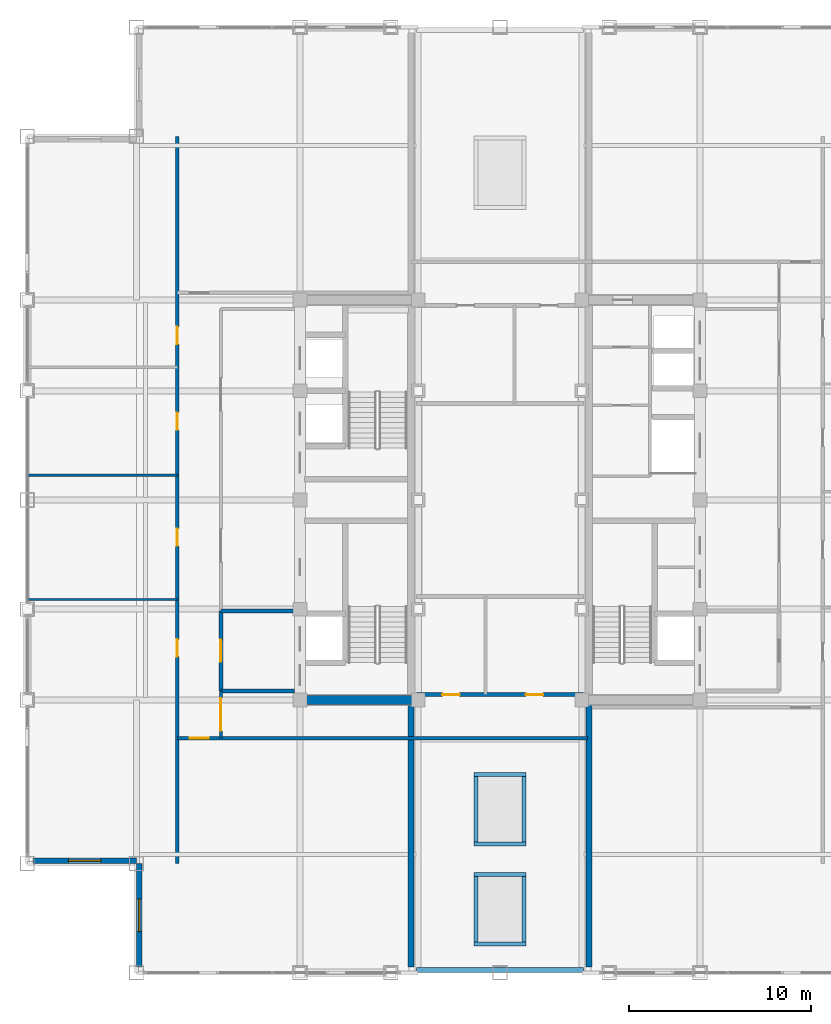
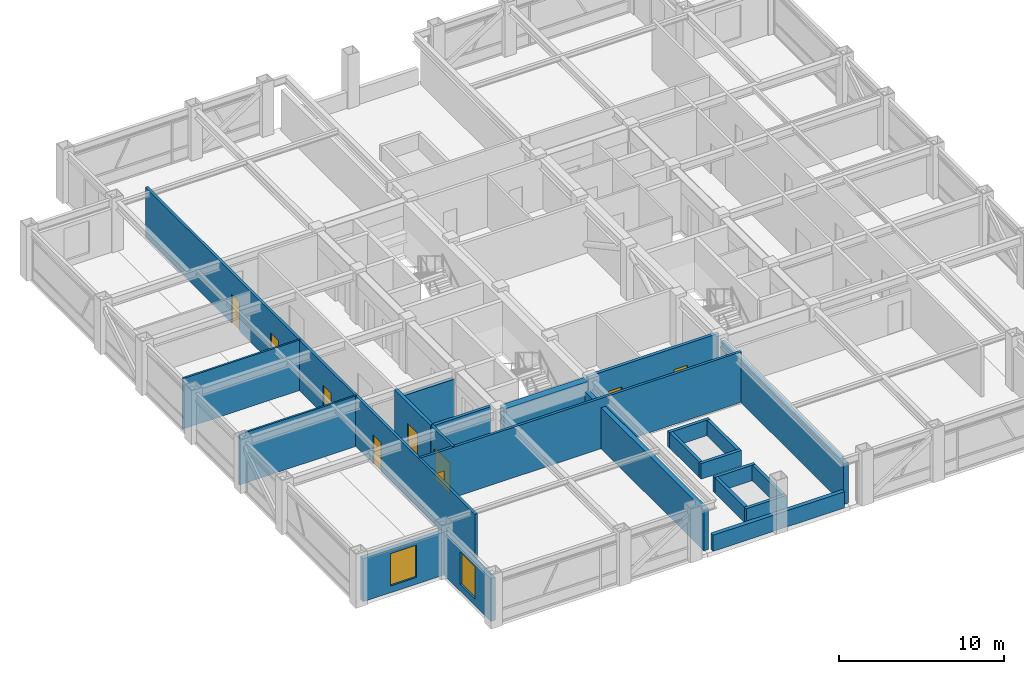
# One storey, part 25 of 29: 23 walls, 9 doors, 2 windows, 11 openings.
"""IFC4 building model written with IfcOpenShell, lengths in metres."""

from ifc_helpers import new_model, si_unit, direction, frame, frame_2d, origin, place, context, subcontext, project, spatial, rectangle, extrude, source, transform, mapped, material, layer, layer_set, type_object, element, fill, save


model = new_model("IFC4")

# Units and contexts
model_context = context("Model", 3, precision=1e-05, world=origin(), true_north=direction((0.0, 1.0)))
body_context = subcontext(model_context, "Body", "Model", "MODEL_VIEW")
ifc_project = project(units=[si_unit("LENGTHUNIT", "METRE"), si_unit("AREAUNIT", "SQUARE_METRE"), si_unit("VOLUMEUNIT", "CUBIC_METRE"), si_unit("PLANEANGLEUNIT", "RADIAN"), si_unit("MASSUNIT", "GRAM", prefix="KILO")], contexts=[model_context])

# Site, building, storey
site_placement = place(None, origin())
site = spatial("IfcSite", under=ifc_project, at=site_placement, CompositionType="ELEMENT")
building_placement = place(site_placement, origin())
building = spatial("IfcBuilding", under=site, at=building_placement, Name="Khorayat Bourse Tower", CompositionType="ELEMENT")
storey_placement = place(building_placement, frame((0.0, 0.0, 346.300048828125)))
storey = spatial("IfcBuildingStorey", under=building, at=storey_placement, Name="L82", CompositionType="ELEMENT", Elevation=346.300048828125)

# Wall
ifc_material_1 = material(Name="Concrete C52/65", Category="concrete")
ifc_layer_1 = layer(ifc_material_1, 0.5)
ifc_layer_set_1 = layer_set([ifc_layer_1], Name="Concrete C52/65")
wall_type_1 = type_object("IfcWallType", Name="WAL-CORE-500", PredefinedType="SHEAR", material=ifc_layer_set_1)
shared_shape_1 = source(origin(), body_context, "Body", "SweptSolid", [
    extrude(rectangle(XDim=5.89990234375, YDim=0.5, at=frame_2d((2.949951171875, 0.0))), origin(), (0.0, 0.0, 1.0), 3.739990234375),
])
wall_1_placement = place(storey_placement, frame((-10.75, -11.0, 0.0), z_axis=(0.0, 0.0, 1.0), x_axis=(1.0, 0.0, 0.0)))
element("IfcWall", 1, at=wall_1_placement, inside=storey, type_object=wall_type_1, Name="L82 Core Shear Wall PIER-WS", PredefinedType="SHEAR", context=body_context, shape_type="MappedRepresentation", body=[
    mapped(shared_shape_1, transform((0.0, 0.0, 0.0), scale=1.0)),
])

# Wall, opening, window
ifc_material_2 = material(Name="Precast concrete C45/55", Category="concrete")
ifc_layer_2 = layer(ifc_material_2, 0.320068359375)
ifc_layer_set_2 = layer_set([ifc_layer_2], Name="Precast concrete C45/55")
wall_type_2 = type_object("IfcWallType", Name="WAL-EXT-STONE-320", PredefinedType="STANDARD", material=ifc_layer_set_2)
shared_shape_2 = source(origin(), body_context, "Body", "SweptSolid", [
    extrude(rectangle(XDim=5.679931640625, YDim=0.320068359375, at=frame_2d((2.83984375, 0.0))), origin(), (0.0, 0.0, 1.0), 3.19091796875),
])
wall_2_placement = place(storey_placement, frame((-20.0, -19.840087890625, 0.0), z_axis=(0.0, 0.0, 1.0), x_axis=(-1.0, 0.0, 0.0)))
wall_2 = element("IfcWall", 2, at=wall_2_placement, inside=storey, type_object=wall_type_2, Name="L82 Re-Entrant Notch Limestone Wall SW-H", PredefinedType="STANDARD", context=body_context, shape_type="MappedRepresentation", body=[
    mapped(shared_shape_2, transform((0.0, 0.0, 0.0), scale=1.0)),
])
shared_shape_3 = source(origin(), body_context, "Body", "SweptSolid", [
    extrude(rectangle(XDim=1.800048828125, YDim=2.39990234375, at=frame_2d((0.89990234375, 1.199951171875))), frame((0.0, 0.169921875, 0.0), z_axis=(0.0, -1.0, 0.0), x_axis=(1.0, 0.0, 0.0)), (0.0, 0.0, 1.0), 0.340087890625),
])
opening_1_placement = place(wall_2_placement, frame((1.93994140625, 0.0, 0.5)))
opening_1 = element("IfcOpeningElement", 3, at=opening_1_placement, cuts=wall_2, Name="Opening WN-04", PredefinedType="OPENING", context=body_context, shape_type="MappedRepresentation", body=[
    mapped(shared_shape_3, transform((0.0, 0.0, 0.0), scale=1.0)),
])
ifc_material_3 = material(Name="Low-E acoustic laminated double glazing", Category="glass")
window_type = type_object("IfcWindowType", Name="WIN-NOTCH-1800x2400", PartitioningType="SINGLE_PANEL", PredefinedType="WINDOW", material=ifc_material_3)
shared_shape_4 = source(origin(), body_context, "Body", "SweptSolid", [
    extrude(rectangle(XDim=1.800048828125, YDim=2.39990234375, at=frame_2d((0.89990234375, 1.199951171875))), frame((0.0, 0.030029296875, 0.0), z_axis=(0.0, -1.0, 0.0), x_axis=(1.0, 0.0, 0.0)), (0.0, 0.0, 1.0), 0.06005859375),
])
window_1_placement = place(opening_1_placement, origin())
window_1 = element("IfcWindow", 4, at=window_1_placement, inside=storey, type_object=window_type, Name="L82 Facade Window 1", OverallHeight=2.39990234375, OverallWidth=1.800048828125, PartitioningType="SINGLE_PANEL", PredefinedType="WINDOW", context=body_context, shape_type="MappedRepresentation", body=[
    mapped(shared_shape_4, transform((0.0, 0.0, 0.0), scale=1.0)),
])
fill(opening_1, window_1)

wall_3_placement = place(storey_placement, frame((-19.840087890625, -25.679931640625, 0.0), z_axis=(0.0, 0.0, 1.0), x_axis=(0.0, 1.0, 0.0)))
wall_3 = element("IfcWall", 5, at=wall_3_placement, inside=storey, type_object=wall_type_2, Name="L82 Re-Entrant Notch Limestone Wall SW-V", PredefinedType="STANDARD", context=body_context, shape_type="MappedRepresentation", body=[
    mapped(shared_shape_2, transform((0.0, 0.0, 0.0), scale=1.0)),
])
opening_2_placement = place(wall_3_placement, frame((1.93994140625, 0.0, 0.5)))
opening_2 = element("IfcOpeningElement", 6, at=opening_2_placement, cuts=wall_3, Name="Opening WN-04", PredefinedType="OPENING", context=body_context, shape_type="MappedRepresentation", body=[
    mapped(shared_shape_3, transform((0.0, 0.0, 0.0), scale=1.0)),
])
window_2_placement = place(opening_2_placement, origin())
window_2 = element("IfcWindow", 7, at=window_2_placement, inside=storey, type_object=window_type, Name="L82 Facade Window 1", OverallHeight=2.39990234375, OverallWidth=1.800048828125, PartitioningType="SINGLE_PANEL", PredefinedType="WINDOW", context=body_context, shape_type="MappedRepresentation", body=[
    mapped(shared_shape_4, transform((0.0, 0.0, 0.0), scale=1.0)),
])
fill(opening_2, window_2)

# Walls
ifc_layer_3 = layer(ifc_material_2, 0.280029296875)
ifc_layer_set_3 = layer_set([ifc_layer_3], Name="Precast concrete C45/55")
wall_type_3 = type_object("IfcWallType", Name="WAL-PARAPET-280", PredefinedType="PARAPET", material=ifc_layer_set_3)
shared_shape_5 = source(origin(), body_context, "Body", "SweptSolid", [
    extrude(rectangle(XDim=9.2001953125, YDim=0.280029296875, at=frame_2d((4.60009765625, 0.0))), origin(), (0.0, 0.0, 1.0), 1.199951171875),
])
wall_4_placement = place(storey_placement, frame((-4.60009765625, -25.860107421875, 0.0), z_axis=(0.0, 0.0, 1.0), x_axis=(1.0, 0.0, 0.0)))
element("IfcWall", 8, at=wall_4_placement, inside=storey, type_object=wall_type_3, Name="L82 Wind Portal Base Parapet S", PredefinedType="PARAPET", context=body_context, shape_type="MappedRepresentation", body=[
    mapped(shared_shape_5, transform((0.0, 0.0, 0.0), scale=1.0)),
])
shared_shape_6 = source(origin(), body_context, "Body", "SweptSolid", [
    extrude(rectangle(XDim=14.97998046875, YDim=0.320068359375, at=frame_2d((7.489990234375, 0.0))), origin(), (0.0, 0.0, 1.0), 3.044921875),
])
for number, where, z_axis, x_axis, name in (
    (9, (-4.89990234375, -25.679931640625, 0.0), (0.0, 0.0, 1.0), (0.0, 1.0, 0.0), "L82 Wind Portal West Cheek Wall S"),
    (10, (4.89990234375, -25.679931640625, 0.0), (0.0, 0.0, 1.0), (0.0, 1.0, 0.0), "L82 Wind Portal East Cheek Wall S"),
):
    element("IfcWall", number, at=place(storey_placement, frame(where, z_axis=z_axis, x_axis=x_axis)), inside=storey, type_object=wall_type_2, Name=name, PredefinedType="STANDARD", context=body_context, shape_type="MappedRepresentation", body=[
        mapped(shared_shape_6, transform((0.0, 0.0, 0.0), scale=1.0)),
    ])
ifc_layer_4 = layer(ifc_material_2, 0.219970703125)
ifc_layer_set_4 = layer_set([ifc_layer_4], Name="Precast concrete C45/55")
wall_type_4 = type_object("IfcWallType", Name="WAL-PARAPET-220", PredefinedType="PARAPET", material=ifc_layer_set_4)
shared_shape_7 = source(origin(), body_context, "Body", "SweptSolid", [
    extrude(rectangle(XDim=2.83984375, YDim=0.219970703125, at=frame_2d((1.419921875, 0.0))), origin(), (0.0, 0.0, 1.0), 1.14990234375),
])
for number, where, z_axis, x_axis, name in (
    (11, (-1.419921875, -24.409912109375, 0.0), (0.0, 0.0, 1.0), (1.0, 0.0, 0.0), "L82 Roof Opening Upstand Curb SKY-ROOF-W-S"),
    (12, (-1.419921875, -20.590087890625, 0.0), (0.0, 0.0, 1.0), (1.0, 0.0, 0.0), "L82 Roof Opening Upstand Curb SKY-ROOF-W-N"),
    (13, (-1.419921875, -18.909912109375, 0.0), (0.0, 0.0, 1.0), (1.0, 0.0, 0.0), "L82 Roof Opening Upstand Curb SKY-ROOF-E-S"),
    (14, (-1.419921875, -15.090087890625, 0.0), (0.0, 0.0, 1.0), (1.0, 0.0, 0.0), "L82 Roof Opening Upstand Curb SKY-ROOF-E-N"),
):
    element("IfcWall", number, at=place(storey_placement, frame(where, z_axis=z_axis, x_axis=x_axis)), inside=storey, type_object=wall_type_4, Name=name, PredefinedType="PARAPET", context=body_context, shape_type="MappedRepresentation", body=[
        mapped(shared_shape_7, transform((0.0, 0.0, 0.0), scale=1.0)),
    ])
shared_shape_8 = source(origin(), body_context, "Body", "SweptSolid", [
    extrude(rectangle(XDim=3.60009765625, YDim=0.219970703125, at=frame_2d((1.800048828125, 0.0))), origin(), (0.0, 0.0, 1.0), 1.14990234375),
])
for number, where, z_axis, x_axis, name in (
    (15, (-1.31005859375, -24.300048828125, 0.0), (0.0, 0.0, 1.0), (0.0, 1.0, 0.0), "L82 Roof Opening Upstand Curb SKY-ROOF-W-W"),
    (16, (1.31005859375, -24.300048828125, 0.0), (0.0, 0.0, 1.0), (0.0, 1.0, 0.0), "L82 Roof Opening Upstand Curb SKY-ROOF-W-E"),
    (17, (-1.31005859375, -18.800048828125, 0.0), (0.0, 0.0, 1.0), (0.0, 1.0, 0.0), "L82 Roof Opening Upstand Curb SKY-ROOF-E-W"),
    (18, (1.31005859375, -18.800048828125, 0.0), (0.0, 0.0, 1.0), (0.0, 1.0, 0.0), "L82 Roof Opening Upstand Curb SKY-ROOF-E-E"),
):
    element("IfcWall", number, at=place(storey_placement, frame(where, z_axis=z_axis, x_axis=x_axis)), inside=storey, type_object=wall_type_4, Name=name, PredefinedType="PARAPET", context=body_context, shape_type="MappedRepresentation", body=[
        mapped(shared_shape_8, transform((0.0, 0.0, 0.0), scale=1.0)),
    ])
ifc_material_4 = material(Name="Aerated concrete blockwork", Category="masonry")
ifc_layer_5 = layer(ifc_material_4, 0.219970703125)
ifc_layer_set_5 = layer_set([ifc_layer_5], Name="Aerated concrete blockwork")
wall_type_5 = type_object("IfcWallType", Name="WAL-PART-FF-220", PredefinedType="PARTITIONING", material=ifc_layer_set_5)
shared_shape_9 = source(origin(), body_context, "Body", "SweptSolid", [
    extrude(rectangle(XDim=4.050048828125, YDim=0.219970703125, at=frame_2d((2.02490234375, 0.0))), origin(), (0.0, 0.0, 1.0), 3.739990234375),
])
wall_5_placement = place(storey_placement, frame((-15.35009765625, -10.5, 0.0), z_axis=(0.0, 0.0, 1.0), x_axis=(1.0, 0.0, 0.0)))
element("IfcWall", 19, at=wall_5_placement, inside=storey, type_object=wall_type_5, Name="L82 Partition WAL-L82-FFLW-S", PredefinedType="PARTITIONING", context=body_context, shape_type="MappedRepresentation", body=[
    mapped(shared_shape_9, transform((0.0, 0.0, 0.0), scale=1.0)),
])
shared_shape_10 = source(origin(), body_context, "Body", "SweptSolid", [
    extrude(rectangle(XDim=4.050048828125, YDim=0.219970703125, at=frame_2d((2.02490234375, 0.0))), origin(), (0.0, 0.0, 1.0), 3.1240234375),
])
wall_6_placement = place(storey_placement, frame((-15.35009765625, -6.10009765625, 0.0), z_axis=(0.0, 0.0, 1.0), x_axis=(1.0, 0.0, 0.0)))
element("IfcWall", 20, at=wall_6_placement, inside=storey, type_object=wall_type_5, Name="L82 Partition WAL-L82-FFLW-N", PredefinedType="PARTITIONING", context=body_context, shape_type="MappedRepresentation", body=[
    mapped(shared_shape_10, transform((0.0, 0.0, 0.0), scale=1.0)),
])

# Wall, opening, door
shared_shape_11 = source(origin(), body_context, "Body", "SweptSolid", [
    extrude(rectangle(XDim=4.39990234375, YDim=0.219970703125, at=frame_2d((2.199951171875, 0.0))), origin(), (0.0, 0.0, 1.0), 3.739990234375),
])
wall_7_placement = place(storey_placement, frame((-15.35009765625, -10.5, 0.0), z_axis=(0.0, 0.0, 1.0), x_axis=(0.0, 1.0, 0.0)))
wall_7 = element("IfcWall", 21, at=wall_7_placement, inside=storey, type_object=wall_type_5, Name="L82 Partition WAL-L82-FFLW-W", PredefinedType="PARTITIONING", context=body_context, shape_type="MappedRepresentation", body=[
    mapped(shared_shape_11, transform((0.0, 0.0, 0.0), scale=1.0)),
])
shared_shape_12 = source(origin(), body_context, "Body", "SweptSolid", [
    extrude(rectangle(XDim=1.199951171875, YDim=2.199951171875, at=frame_2d((0.60009765625, 1.10009765625))), frame((0.0, 0.119873046875, 0.0), z_axis=(0.0, -1.0, 0.0), x_axis=(1.0, 0.0, 0.0)), (0.0, 0.0, 1.0), 0.239990234375),
])
opening_3_placement = place(wall_7_placement, frame((1.60009765625, 0.0, 0.0)))
opening_3 = element("IfcOpeningElement", 22, at=opening_3_placement, cuts=wall_7, Name="Opening DI-02", PredefinedType="OPENING", context=body_context, shape_type="MappedRepresentation", body=[
    mapped(shared_shape_12, transform((0.0, 0.0, 0.0), scale=1.0)),
])
ifc_material_5 = material(Name="Fire-rated steel double-seal leaf", Category="steel")
door_type_1 = type_object("IfcDoorType", Name="DR-INT-FFLOBBY-1200", OperationType="NOTDEFINED", PredefinedType="DOOR", material=ifc_material_5)
shared_shape_13 = source(origin(), body_context, "Body", "SweptSolid", [
    extrude(rectangle(XDim=1.199951171875, YDim=2.199951171875, at=frame_2d((0.60009765625, 1.10009765625))), frame((0.0, 0.02490234375, 0.0), z_axis=(0.0, -1.0, 0.0), x_axis=(1.0, 0.0, 0.0)), (0.0, 0.0, 1.0), 0.050048828125),
])
door_1_placement = place(opening_3_placement, origin())
door_1 = element("IfcDoor", 23, at=door_1_placement, inside=storey, type_object=door_type_1, Name="L82 West Firefighting Lobby Door", OperationType="SINGLE_SWING_LEFT", OverallHeight=2.199951171875, OverallWidth=1.199951171875, PredefinedType="DOOR", context=body_context, shape_type="MappedRepresentation", body=[
    mapped(shared_shape_13, transform((0.0, 0.0, 0.0), scale=1.0)),
])
fill(opening_3, door_1)

ifc_material_6 = material(Name="Gypsum plasterboard acoustic stud wall")
ifc_layer_6 = layer(ifc_material_6, 0.179931640625)
ifc_layer_set_6 = layer_set([ifc_layer_6], Name="Gypsum plasterboard acoustic stud wall")
wall_type_6 = type_object("IfcWallType", Name="WAL-PART-CORR-180", PredefinedType="PARTITIONING", material=ifc_layer_set_6)
shared_shape_14 = source(origin(), body_context, "Body", "SweptSolid", [
    extrude(rectangle(XDim=2.60009765625, YDim=0.179931640625, at=frame_2d((1.300048828125, 0.0))), origin(), (0.0, 0.0, 1.0), 3.739990234375),
])
wall_8_placement = place(storey_placement, frame((-15.35009765625, -13.10009765625, 0.0), z_axis=(0.0, 0.0, 1.0), x_axis=(0.0, 1.0, 0.0)))
wall_8 = element("IfcWall", 24, at=wall_8_placement, inside=storey, type_object=wall_type_6, Name="L82 Partition WAL-L82-WCSTUB-W", PredefinedType="PARTITIONING", context=body_context, shape_type="MappedRepresentation", body=[
    mapped(shared_shape_14, transform((0.0, 0.0, 0.0), scale=1.0)),
])
shared_shape_15 = source(origin(), body_context, "Body", "SweptSolid", [
    extrude(rectangle(XDim=1.800048828125, YDim=2.25, at=frame_2d((0.89990234375, 1.125))), frame((0.0, 0.099853515625, 0.0), z_axis=(0.0, -1.0, 0.0), x_axis=(1.0, 0.0, 0.0)), (0.0, 0.0, 1.0), 0.199951171875),
])
opening_4_placement = place(wall_8_placement, frame((0.39990234375, 0.0, 0.0)))
opening_4 = element("IfcOpeningElement", 25, at=opening_4_placement, cuts=wall_8, Name="Opening DI-03", PredefinedType="OPENING", context=body_context, shape_type="MappedRepresentation", body=[
    mapped(shared_shape_15, transform((0.0, 0.0, 0.0), scale=1.0)),
])
ifc_material_7 = material(Name="Fire-rated hardwood vision-panel double leaf", Category="wood")
door_type_2 = type_object("IfcDoorType", Name="DR-INT-CORR-1800", OperationType="NOTDEFINED", PredefinedType="DOOR", material=ifc_material_7)
shared_shape_16 = source(origin(), body_context, "Body", "SweptSolid", [
    extrude(rectangle(XDim=1.800048828125, YDim=2.25, at=frame_2d((0.89990234375, 1.125))), frame((0.0, 0.02490234375, 0.0), z_axis=(0.0, -1.0, 0.0), x_axis=(1.0, 0.0, 0.0)), (0.0, 0.0, 1.0), 0.050048828125),
])
door_2_placement = place(opening_4_placement, origin())
door_2 = element("IfcDoor", 26, at=door_2_placement, inside=storey, type_object=door_type_2, Name="L82 West Portal Bridge Corridor Door", OperationType="DOUBLE_DOOR_SINGLE_SWING", OverallHeight=2.25, OverallWidth=1.800048828125, PredefinedType="DOOR", context=body_context, shape_type="MappedRepresentation", body=[
    mapped(shared_shape_16, transform((0.0, 0.0, 0.0), scale=1.0)),
])
fill(opening_4, door_2)

# Wall, openings, doors
shared_shape_17 = source(origin(), body_context, "Body", "SweptSolid", [
    extrude(rectangle(XDim=9.2001953125, YDim=0.219970703125, at=frame_2d((4.60009765625, 0.0))), origin(), (0.0, 0.0, 1.0), 3.739990234375),
])
wall_9_placement = place(storey_placement, frame((-4.60009765625, -10.699951171875, 0.0), z_axis=(0.0, 0.0, 1.0), x_axis=(1.0, 0.0, 0.0)))
wall_9 = element("IfcWall", 27, at=wall_9_placement, inside=storey, type_object=wall_type_5, Name="L82 Partition WAL-L82-WPB1-S", PredefinedType="PARTITIONING", context=body_context, shape_type="MappedRepresentation", body=[
    mapped(shared_shape_17, transform((0.0, 0.0, 0.0), scale=1.0)),
])
shared_shape_18 = source(origin(), body_context, "Body", "SweptSolid", [
    extrude(rectangle(XDim=0.949951171875, YDim=2.14990234375, at=frame_2d((0.47509765625, 1.074951171875))), frame((0.0, 0.119873046875, 0.0), z_axis=(0.0, -1.0, 0.0), x_axis=(1.0, 0.0, 0.0)), (0.0, 0.0, 1.0), 0.239990234375),
])
opening_5_placement = place(wall_9_placement, frame((1.425048828125, 0.0, 0.0)))
opening_5 = element("IfcOpeningElement", 28, at=opening_5_placement, cuts=wall_9, Name="Opening DI-05", PredefinedType="OPENING", context=body_context, shape_type="MappedRepresentation", body=[
    mapped(shared_shape_18, transform((0.0, 0.0, 0.0), scale=1.0)),
])
opening_6_placement = place(wall_9_placement, frame((6.02490234375, 0.0, 0.0)))
opening_6 = element("IfcOpeningElement", 29, at=opening_6_placement, cuts=wall_9, Name="Opening DI-05", PredefinedType="OPENING", context=body_context, shape_type="MappedRepresentation", body=[
    mapped(shared_shape_18, transform((0.0, 0.0, 0.0), scale=1.0)),
])
ifc_material_8 = material(Name="Acoustic oak veneer office door")
door_type_3 = type_object("IfcDoorType", Name="DR-INT-OFFICE-950", OperationType="NOTDEFINED", PredefinedType="DOOR", material=ifc_material_8)
shared_shape_19 = source(origin(), body_context, "Body", "SweptSolid", [
    extrude(rectangle(XDim=0.949951171875, YDim=2.14990234375, at=frame_2d((0.47509765625, 1.074951171875))), frame((0.0, 0.02490234375, 0.0), z_axis=(0.0, -1.0, 0.0), x_axis=(1.0, 0.0, 0.0)), (0.0, 0.0, 1.0), 0.050048828125),
])
door_3_placement = place(opening_5_placement, origin())
door_3 = element("IfcDoor", 30, at=door_3_placement, inside=storey, type_object=door_type_3, Name="L82 South Bridge Archive Door", OperationType="SINGLE_SWING_LEFT", OverallHeight=2.14990234375, OverallWidth=0.949951171875, PredefinedType="DOOR", context=body_context, shape_type="MappedRepresentation", body=[
    mapped(shared_shape_19, transform((0.0, 0.0, 0.0), scale=1.0)),
])
fill(opening_5, door_3)
door_4_placement = place(opening_6_placement, origin())
door_4 = element("IfcDoor", 31, at=door_4_placement, inside=storey, type_object=door_type_3, Name="L82 South Bridge Telemetry Door", OperationType="SINGLE_SWING_RIGHT", OverallHeight=2.14990234375, OverallWidth=0.949951171875, PredefinedType="DOOR", context=body_context, shape_type="MappedRepresentation", body=[
    mapped(shared_shape_19, transform((0.0, 0.0, 0.0), scale=1.0)),
])
fill(opening_6, door_4)

# Wall, opening, door
shared_shape_20 = source(origin(), body_context, "Body", "SweptSolid", [
    extrude(rectangle(XDim=22.550048828125, YDim=0.179931640625, at=frame_2d((11.27490234375, 0.0))), origin(), (0.0, 0.0, 1.0), 3.739990234375),
])
wall_10_placement = place(storey_placement, frame((-17.75, -13.10009765625, 0.0), z_axis=(0.0, 0.0, 1.0), x_axis=(1.0, 0.0, 0.0)))
wall_10 = element("IfcWall", 32, at=wall_10_placement, inside=storey, type_object=wall_type_6, Name="L82 Partition WAL-L82-WPS-N", PredefinedType="PARTITIONING", context=body_context, shape_type="MappedRepresentation", body=[
    mapped(shared_shape_20, transform((0.0, 0.0, 0.0), scale=1.0)),
])
shared_shape_21 = source(origin(), body_context, "Body", "SweptSolid", [
    extrude(rectangle(XDim=1.050048828125, YDim=2.199951171875, at=frame_2d((0.52490234375, 1.10009765625))), frame((0.0, 0.099853515625, 0.0), z_axis=(0.0, -1.0, 0.0), x_axis=(1.0, 0.0, 0.0)), (0.0, 0.0, 1.0), 0.199951171875),
])
opening_7_placement = place(wall_10_placement, frame((0.675048828125, 0.0, 0.0)))
opening_7 = element("IfcOpeningElement", 33, at=opening_7_placement, cuts=wall_10, Name="Opening DI-04", PredefinedType="OPENING", context=body_context, shape_type="MappedRepresentation", body=[
    mapped(shared_shape_21, transform((0.0, 0.0, 0.0), scale=1.0)),
])
ifc_material_9 = material(Name="Fire-rated oak veneer suite entrance door")
door_type_4 = type_object("IfcDoorType", Name="DR-INT-SUITE-1050", OperationType="NOTDEFINED", PredefinedType="DOOR", material=ifc_material_9)
shared_shape_22 = source(origin(), body_context, "Body", "SweptSolid", [
    extrude(rectangle(XDim=1.050048828125, YDim=2.199951171875, at=frame_2d((0.52490234375, 1.10009765625))), frame((0.0, 0.02490234375, 0.0), z_axis=(0.0, -1.0, 0.0), x_axis=(1.0, 0.0, 0.0)), (0.0, 0.0, 1.0), 0.050048828125),
])
door_5_placement = place(opening_7_placement, origin())
door_5 = element("IfcDoor", 34, at=door_5_placement, inside=storey, type_object=door_type_4, Name="L82 West Portal Boardroom Door", OperationType="SINGLE_SWING_LEFT", OverallHeight=2.199951171875, OverallWidth=1.050048828125, PredefinedType="DOOR", context=body_context, shape_type="MappedRepresentation", body=[
    mapped(shared_shape_22, transform((0.0, 0.0, 0.0), scale=1.0)),
])
fill(opening_7, door_5)

# Walls
ifc_material_10 = material(Name="Gypsum plasterboard partition")
ifc_layer_7 = layer(ifc_material_10, 0.125)
ifc_layer_set_7 = layer_set([ifc_layer_7], Name="Gypsum plasterboard partition")
wall_type_7 = type_object("IfcWallType", Name="WAL-PART-ROOM-125", PredefinedType="PARTITIONING", material=ifc_layer_set_7)
shared_shape_23 = source(origin(), body_context, "Body", "SweptSolid", [
    extrude(rectangle(XDim=8.25, YDim=0.125, at=frame_2d((4.125, 0.0))), origin(), (0.0, 0.0, 1.0), 3.739990234375),
])
for number, where, z_axis, x_axis, name in (
    (35, (-26.0, -5.471923828125, 0.0), (0.0, 0.0, 1.0), (1.0, 0.0, 0.0), "L82 Partition WAL-L82-WPWDV-1"),
    (36, (-26.0, 1.367919921875, 0.0), (0.0, 0.0, 1.0), (1.0, 0.0, 0.0), "L82 Partition WAL-L82-WPWDV-2"),
):
    element("IfcWall", number, at=place(storey_placement, frame(where, z_axis=z_axis, x_axis=x_axis)), inside=storey, type_object=wall_type_7, Name=name, PredefinedType="PARTITIONING", context=body_context, shape_type="MappedRepresentation", body=[
        mapped(shared_shape_23, transform((0.0, 0.0, 0.0), scale=1.0)),
    ])

# Wall, openings, doors
shared_shape_24 = source(origin(), body_context, "Body", "SweptSolid", [
    extrude(rectangle(XDim=40.0, YDim=0.179931640625, at=frame_2d((20.0, 0.0))), origin(), (0.0, 0.0, 1.0), 3.739990234375),
])
wall_11_placement = place(storey_placement, frame((-17.75, -20.0, 0.0), z_axis=(0.0, 0.0, 1.0), x_axis=(0.0, 1.0, 0.0)))
wall_11 = element("IfcWall", 37, at=wall_11_placement, inside=storey, type_object=wall_type_6, Name="L82 Partition WAL-L82-WPWCORR", PredefinedType="PARTITIONING", context=body_context, shape_type="MappedRepresentation", body=[
    mapped(shared_shape_24, transform((0.0, 0.0, 0.0), scale=1.0)),
])
shared_shape_25 = source(origin(), body_context, "Body", "SweptSolid", [
    extrude(rectangle(XDim=0.949951171875, YDim=2.14990234375, at=frame_2d((0.47509765625, 1.074951171875))), frame((0.0, 0.099853515625, 0.0), z_axis=(0.0, -1.0, 0.0), x_axis=(1.0, 0.0, 0.0)), (0.0, 0.0, 1.0), 0.199951171875),
])
opening_8_placement = place(wall_11_placement, frame((11.388916015625, 0.0, 0.0)))
opening_8 = element("IfcOpeningElement", 38, at=opening_8_placement, cuts=wall_11, Name="Opening DI-05", PredefinedType="OPENING", context=body_context, shape_type="MappedRepresentation", body=[
    mapped(shared_shape_25, transform((0.0, 0.0, 0.0), scale=1.0)),
])
opening_9_placement = place(wall_11_placement, frame((17.472900390625, 0.0, 0.0)))
opening_9 = element("IfcOpeningElement", 39, at=opening_9_placement, cuts=wall_11, Name="Opening DI-05", PredefinedType="OPENING", context=body_context, shape_type="MappedRepresentation", body=[
    mapped(shared_shape_25, transform((0.0, 0.0, 0.0), scale=1.0)),
])
opening_10_placement = place(wall_11_placement, frame((23.85693359375, 0.0, 0.0)))
opening_10 = element("IfcOpeningElement", 40, at=opening_10_placement, cuts=wall_11, Name="Opening DI-05", PredefinedType="OPENING", context=body_context, shape_type="MappedRepresentation", body=[
    mapped(shared_shape_25, transform((0.0, 0.0, 0.0), scale=1.0)),
])
opening_11_placement = place(wall_11_placement, frame((28.572998046875, 0.0, 0.0)))
opening_11 = element("IfcOpeningElement", 41, at=opening_11_placement, cuts=wall_11, Name="Opening DI-05", PredefinedType="OPENING", context=body_context, shape_type="MappedRepresentation", body=[
    mapped(shared_shape_25, transform((0.0, 0.0, 0.0), scale=1.0)),
])
door_6_placement = place(opening_8_placement, origin())
door_6 = element("IfcDoor", 42, at=door_6_placement, inside=storey, type_object=door_type_3, Name="L82 Executive Boardroom WPW1 Door", OperationType="SINGLE_SWING_RIGHT", OverallHeight=2.14990234375, OverallWidth=0.949951171875, PredefinedType="DOOR", context=body_context, shape_type="MappedRepresentation", body=[
    mapped(shared_shape_19, transform((0.0, 0.0, 0.0), scale=1.0)),
])
fill(opening_8, door_6)
door_7_placement = place(opening_9_placement, origin())
door_7 = element("IfcDoor", 43, at=door_7_placement, inside=storey, type_object=door_type_3, Name="L82 Clearing Operations Office WPW2 Door", OperationType="SINGLE_SWING_LEFT", OverallHeight=2.14990234375, OverallWidth=0.949951171875, PredefinedType="DOOR", context=body_context, shape_type="MappedRepresentation", body=[
    mapped(shared_shape_19, transform((0.0, 0.0, 0.0), scale=1.0)),
])
fill(opening_9, door_7)
door_8_placement = place(opening_10_placement, origin())
door_8 = element("IfcDoor", 44, at=door_8_placement, inside=storey, type_object=door_type_3, Name="L82 Market Committee Conference Room WPW3 Door", OperationType="SINGLE_SWING_RIGHT", OverallHeight=2.14990234375, OverallWidth=0.949951171875, PredefinedType="DOOR", context=body_context, shape_type="MappedRepresentation", body=[
    mapped(shared_shape_19, transform((0.0, 0.0, 0.0), scale=1.0)),
])
fill(opening_10, door_8)
door_9_placement = place(opening_11_placement, origin())
door_9 = element("IfcDoor", 45, at=door_9_placement, inside=storey, type_object=door_type_3, Name="L82 Staff Tea Pantry WPW4 Door", OperationType="SINGLE_SWING_LEFT", OverallHeight=2.14990234375, OverallWidth=0.949951171875, PredefinedType="DOOR", context=body_context, shape_type="MappedRepresentation", body=[
    mapped(shared_shape_19, transform((0.0, 0.0, 0.0), scale=1.0)),
])
fill(opening_11, door_9)

save(model, "model.ifc")
